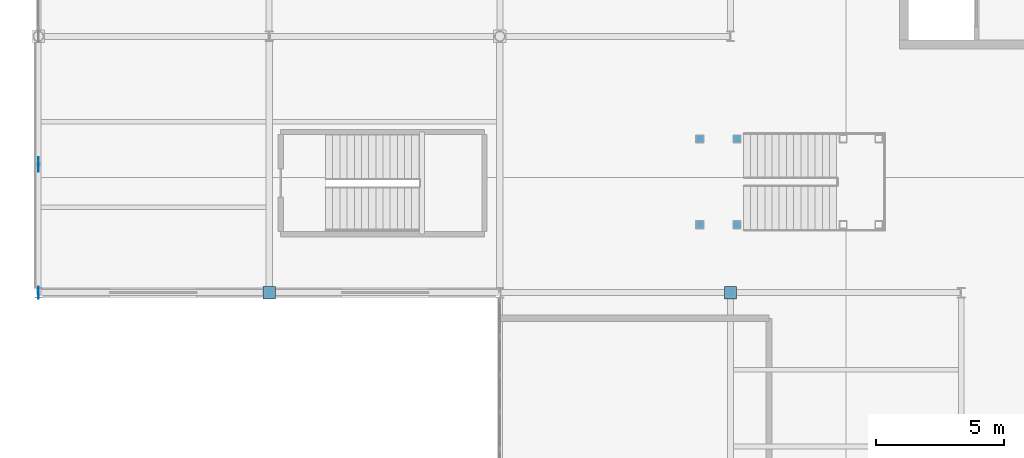
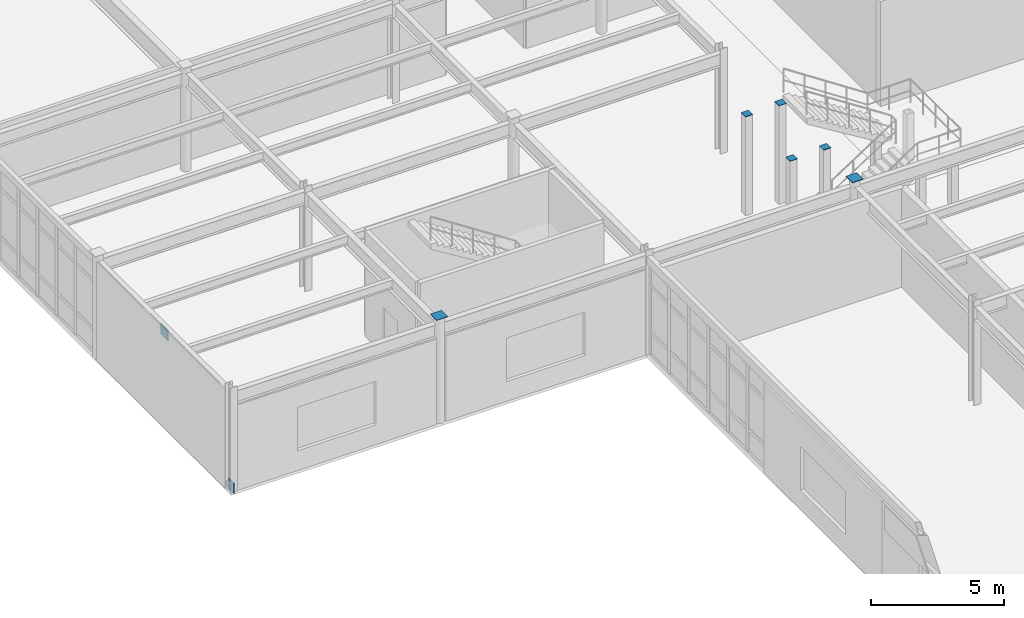
# One storey, part 69 of 84: 8 discrete accessories.
"""IFC4 building model written with IfcOpenShell, lengths in metres."""

from ifc_helpers import new_model, si_unit, direction, frame, origin, origin_2d, place, context, subcontext, project, spatial, rectangle, extrude, material, type_object, element, save


model = new_model("IFC4")

# Units and contexts
model_context = context("Model", 3, precision=1e-05, world=origin(), true_north=direction((0.0, 1.0)))
body_context = subcontext(model_context, "Body", "Model", "MODEL_VIEW")
ifc_project = project(units=[si_unit("LENGTHUNIT", "METRE"), si_unit("AREAUNIT", "SQUARE_METRE"), si_unit("VOLUMEUNIT", "CUBIC_METRE"), si_unit("PLANEANGLEUNIT", "RADIAN"), si_unit("MASSUNIT", "GRAM", prefix="KILO")], contexts=[model_context])

# Site, building, storey
site_placement = place(None, origin())
site = spatial("IfcSite", under=ifc_project, at=site_placement, CompositionType="ELEMENT")
building_placement = place(site_placement, origin())
building = spatial("IfcBuilding", under=site, at=building_placement, Name="Glasvene Arena", CompositionType="ELEMENT")
storey_placement = place(building_placement, frame((0.0, 0.0, 10.199951171875)))
storey = spatial("IfcBuildingStorey", under=building, at=storey_placement, Name="L02", CompositionType="ELEMENT", Elevation=10.199951171875)

# Discrete accessories
ifc_material = material(Name="Steel S355J2", Category="steel")
discrete_accessory_type_1 = type_object("IfcDiscreteAccessoryType", Name="ACC-BRACE-GP20", PredefinedType="BRACKET", material=ifc_material)
discrete_accessory_1_placement = place(storey_placement, frame((0.0, 54.0, -0.06982421875), z_axis=(0.0, 0.0, 1.0), x_axis=(1.0, 0.0, 0.0)))
element("IfcDiscreteAccessory", 1, at=discrete_accessory_1_placement, inside=storey, type_object=discrete_accessory_type_1, Name="Chevron brace base gusset plate L02-013-A", PredefinedType="BRACKET", context=body_context, shape_type="SweptSolid", body=[
    extrude(rectangle(XDim=0.02001953125, YDim=0.47998046875, at=origin_2d()), origin(), (0.0, 0.0, 1.0), 0.47998046875),
])
discrete_accessory_2_placement = place(storey_placement, frame((0.0, 59.0, 3.93017578125), z_axis=(0.0, 0.0, 1.0), x_axis=(1.0, 0.0, 0.0)))
element("IfcDiscreteAccessory", 2, at=discrete_accessory_2_placement, inside=storey, type_object=discrete_accessory_type_1, Name="Chevron brace apex gusset plate L02-014", PredefinedType="BRACKET", context=body_context, shape_type="SweptSolid", body=[
    extrude(rectangle(XDim=0.02001953125, YDim=0.56005859375, at=origin_2d()), origin(), (0.0, 0.0, 1.0), 0.47998046875),
])
discrete_accessory_type_2 = type_object("IfcDiscreteAccessoryType", Name="ACC-CAP-CHS420", PredefinedType="USERDEFINED", material=ifc_material)
for number, where, z_axis, x_axis, name in (
    (3, (9.0, 54.0, 4.798095703125), (0.0, 0.0, 1.0), (1.0, 0.0, 0.0), "Hollow column top cap plate 2-7 L02"),
    (4, (27.0, 54.0, 4.798095703125), (0.0, 0.0, 1.0), (1.0, 0.0, 0.0), "Hollow column top cap plate 4-7 L02"),
):
    element("IfcDiscreteAccessory", number, at=place(storey_placement, frame(where, z_axis=z_axis, x_axis=x_axis)), inside=storey, type_object=discrete_accessory_type_2, Name=name, ObjectType="CAP PLATE", PredefinedType="USERDEFINED", context=body_context, shape_type="SweptSolid", body=[
        extrude(rectangle(XDim=0.47998046875, YDim=0.47998046875, at=origin_2d()), origin(), (0.0, 0.0, 1.0), 0.02001953125),
    ])
discrete_accessory_type_3 = type_object("IfcDiscreteAccessoryType", Name="ACC-CAP-SHS320", PredefinedType="USERDEFINED", material=ifc_material)
for number, where, z_axis, x_axis, name in (
    (5, (25.800048828125, 56.64990234375, 4.51806640625), (0.0, 0.0, 1.0), (1.0, 0.0, 0.0), "Vomitory column cap plate VOM-05"),
    (6, (25.800048828125, 60.0, 4.51806640625), (0.0, 0.0, 1.0), (1.0, 0.0, 0.0), "Vomitory column cap plate VOM-05"),
    (7, (27.25, 56.64990234375, 4.51806640625), (0.0, 0.0, 1.0), (1.0, 0.0, 0.0), "Vomitory column cap plate VOM-05"),
    (8, (27.25, 60.0, 4.51806640625), (0.0, 0.0, 1.0), (1.0, 0.0, 0.0), "Vomitory column cap plate VOM-05"),
):
    element("IfcDiscreteAccessory", number, at=place(storey_placement, frame(where, z_axis=z_axis, x_axis=x_axis)), inside=storey, type_object=discrete_accessory_type_3, Name=name, ObjectType="CAP PLATE", PredefinedType="USERDEFINED", context=body_context, shape_type="SweptSolid", body=[
        extrude(rectangle(XDim=0.320068359375, YDim=0.320068359375, at=origin_2d()), origin(), (0.0, 0.0, 1.0), 0.02001953125),
    ])

save(model, "model.ifc")
